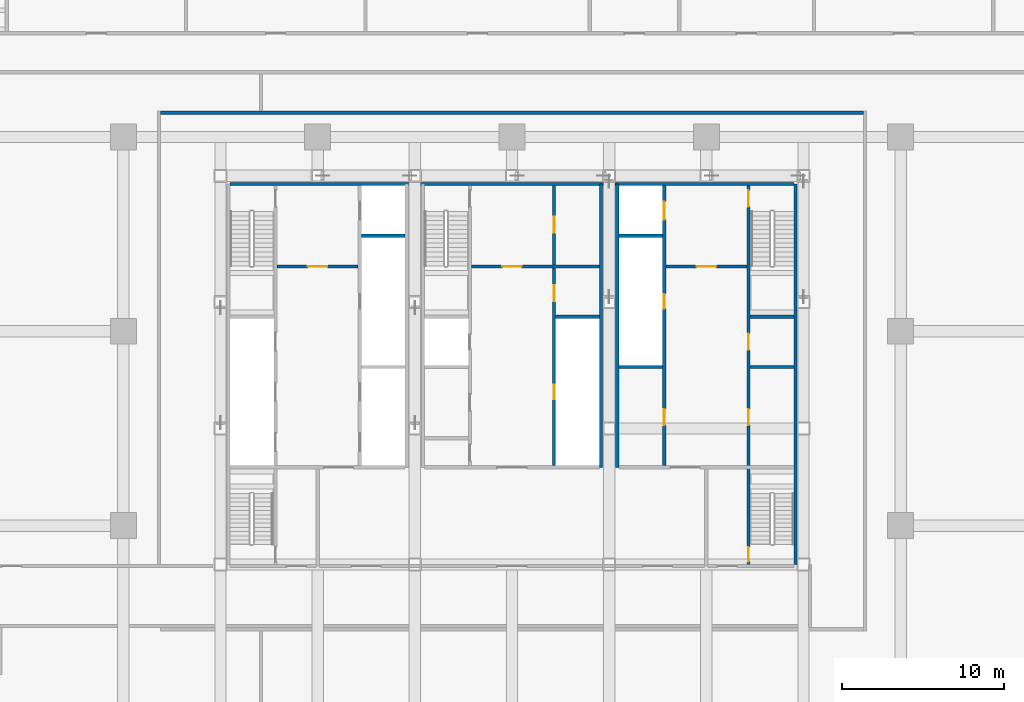
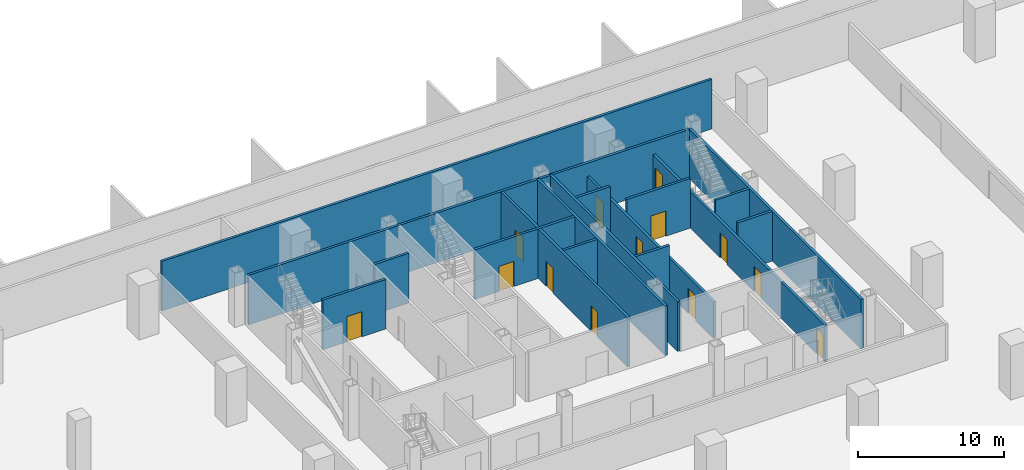
# One storey, part 5 of 15: 17 walls, 13 doors, 13 openings.
"""IFC4 building model written with IfcOpenShell, lengths in metres."""

from ifc_helpers import new_model, si_unit, direction, frame, frame_2d, origin, place, context, subcontext, project, spatial, rectangle, extrude, material, layer, layer_set, type_object, element, fill, save


model = new_model("IFC4")

# Units and contexts
model_context = context("Model", 3, precision=1e-05, world=origin(), true_north=direction((0.0, 1.0)))
body_context = subcontext(model_context, "Body", "Model", "MODEL_VIEW")
ifc_project = project(units=[si_unit("LENGTHUNIT", "METRE"), si_unit("AREAUNIT", "SQUARE_METRE"), si_unit("VOLUMEUNIT", "CUBIC_METRE"), si_unit("PLANEANGLEUNIT", "RADIAN"), si_unit("MASSUNIT", "GRAM", prefix="KILO")], contexts=[model_context])

# Site, building, storey
site_placement = place(None, origin())
site = spatial("IfcSite", under=ifc_project, at=site_placement, CompositionType="ELEMENT")
building_placement = place(site_placement, origin())
building = spatial("IfcBuilding", under=site, at=building_placement, Name="Sorahane Residences", CompositionType="ELEMENT")
storey_placement = place(building_placement, frame((0.0, 0.0, -9.0)))
storey = spatial("IfcBuildingStorey", under=building, at=storey_placement, Name="B2", CompositionType="ELEMENT", Elevation=-9.0)

# Walls
ifc_material_1 = material(Name="Concrete C30", Category="concrete")
ifc_layer_1 = layer(ifc_material_1, 0.199951171875)
ifc_layer_set_1 = layer_set([ifc_layer_1], Name="Core face wall 200 EI 180")
wall_type_1 = type_object("IfcWallType", Name="Core face wall 200 EI 180", PredefinedType="SOLIDWALL", material=ifc_layer_set_1)
wall_1_placement = place(storey_placement, frame((41.5, 21.60009765625, 0.0), z_axis=(0.0, 0.0, 1.0), x_axis=(0.0, 1.0, 0.0)))
element("IfcWall", 1, at=wall_1_placement, inside=storey, type_object=wall_type_1, Name="B2 core face wall", PredefinedType="SOLIDWALL", context=body_context, shape_type="SweptSolid", body=[
    extrude(rectangle(XDim=23.5, YDim=0.199951171875, at=frame_2d((11.75, 0.0))), origin(), (0.0, 0.0, 1.0), 4.139892578125),
])
wall_2_placement = place(storey_placement, frame((6.60009765625, 45.10009765625, 0.0), z_axis=(0.0, 0.0, 1.0), x_axis=(1.0, 0.0, 0.0)))
element("IfcWall", 2, at=wall_2_placement, inside=storey, type_object=wall_type_1, Name="B2 core face wall", PredefinedType="SOLIDWALL", context=body_context, shape_type="SweptSolid", body=[
    extrude(rectangle(XDim=34.7998046875, YDim=0.199951171875, at=frame_2d((17.39990234375, 0.0))), origin(), (0.0, 0.0, 1.0), 4.139892578125),
])
for number, where, z_axis, x_axis, name in (
    (3, (29.5, 27.60009765625, 0.0), (0.0, 0.0, 1.0), (0.0, 1.0, 0.0), "B2 core face wall"),
    (4, (30.5, 27.60009765625, 0.0), (0.0, 0.0, 1.0), (0.0, 1.0, 0.0), "B2 core face wall"),
):
    element("IfcWall", number, at=place(storey_placement, frame(where, z_axis=z_axis, x_axis=x_axis)), inside=storey, type_object=wall_type_1, Name=name, PredefinedType="SOLIDWALL", context=body_context, shape_type="SweptSolid", body=[
        extrude(rectangle(XDim=17.5, YDim=0.199951171875, at=frame_2d((8.75, 0.0))), origin(), (0.0, 0.0, 1.0), 4.139892578125),
    ])
ifc_material_2 = material(Name="Concrete blockwork C20 wall", Category="masonry")
ifc_layer_2 = layer(ifc_material_2, 0.199951171875)
ifc_layer_set_2 = layer_set([ifc_layer_2], Name="Fire wall 200 EI 120")
wall_type_2 = type_object("IfcWallType", Name="Fire wall 200 EI 120", PredefinedType="SOLIDWALL", material=ifc_layer_set_2)
wall_3_placement = place(storey_placement, frame((2.300048828125, 49.5, 0.0), z_axis=(0.0, 0.0, 1.0), x_axis=(1.0, 0.0, 0.0)))
element("IfcWall", 5, at=wall_3_placement, inside=storey, type_object=wall_type_2, Name="B2 fire wall", PredefinedType="SOLIDWALL", context=body_context, shape_type="SweptSolid", body=[
    extrude(rectangle(XDim=43.39990234375, YDim=0.199951171875, at=frame_2d((21.699951171875, 0.0))), origin(), (0.0, 0.0, 1.0), 4.139892578125),
])

# Wall, opening, door
ifc_material_3 = material(Name="Concrete C30", Category="concrete")
ifc_layer_3 = layer(ifc_material_3, 0.199951171875)
ifc_layer_set_3 = layer_set([ifc_layer_3], Name="Front room wall 200 EI 120")
wall_type_3 = type_object("IfcWallType", Name="Front room wall 200 EI 120", PredefinedType="PARTITIONING", material=ifc_layer_set_3)
wall_4_placement = place(storey_placement, frame((21.5, 40.0, 0.0), z_axis=(0.0, 0.0, 1.0), x_axis=(1.0, 0.0, 0.0)))
wall_4 = element("IfcWall", 6, at=wall_4_placement, inside=storey, type_object=wall_type_3, Name="B2 front room wall", PredefinedType="PARTITIONING", context=body_context, shape_type="SweptSolid", body=[
    extrude(rectangle(XDim=7.89990234375, YDim=0.199951171875, at=frame_2d((3.949951171875, 0.0))), origin(), (0.0, 0.0, 1.0), 4.139892578125),
])
opening_1_placement = place(wall_4_placement, frame((1.89990234375, 0.0, 0.0)))
opening_1 = element("IfcOpeningElement", 7, at=opening_1_placement, cuts=wall_4, Name="Opening B2-C09", PredefinedType="OPENING", context=body_context, shape_type="SweptSolid", body=[
    extrude(rectangle(XDim=1.199951171875, YDim=2.10009765625, at=frame_2d((0.60009765625, 1.050048828125))), frame((0.0, 0.10986328125, 0.0), z_axis=(0.0, -1.0, 0.0), x_axis=(1.0, 0.0, 0.0)), (0.0, 0.0, 1.0), 0.219970703125),
])
ifc_material_4 = material(Name="Steel", Category="steel")
door_type_1 = type_object("IfcDoorType", Name="Front room door 1200x2100 FD120", OperationType="NOTDEFINED", PredefinedType="DOOR", material=ifc_material_4)
door_1_placement = place(opening_1_placement, frame((1.199951171875, 0.0, 0.0), z_axis=(0.0, 0.0, 1.0), x_axis=(-1.0, 0.0, 0.0)))
door_1 = element("IfcDoor", 8, at=door_1_placement, inside=storey, type_object=door_type_1, Name="Front room door Stair S3 vestibule B2", OperationType="DOUBLE_DOOR_SINGLE_SWING", OverallHeight=2.10009765625, OverallWidth=1.199951171875, PredefinedType="DOOR", context=body_context, shape_type="SweptSolid", body=[
    extrude(rectangle(XDim=1.199951171875, YDim=2.10009765625, at=frame_2d((0.60009765625, 1.050048828125))), frame((0.0, 0.02490234375, 0.0), z_axis=(0.0, -1.0, 0.0), x_axis=(1.0, 0.0, 0.0)), (0.0, 0.0, 1.0), 0.050048828125),
])
fill(opening_1, door_1)

wall_5_placement = place(storey_placement, frame((33.5, 40.0, 0.0), z_axis=(0.0, 0.0, 1.0), x_axis=(1.0, 0.0, 0.0)))
wall_5 = element("IfcWall", 9, at=wall_5_placement, inside=storey, type_object=wall_type_3, Name="B2 front room wall", PredefinedType="PARTITIONING", context=body_context, shape_type="SweptSolid", body=[
    extrude(rectangle(XDim=5.0, YDim=0.199951171875, at=frame_2d((2.5, 0.0))), origin(), (0.0, 0.0, 1.0), 4.139892578125),
])
opening_2_placement = place(wall_5_placement, frame((1.89990234375, 0.0, 0.0)))
opening_2 = element("IfcOpeningElement", 10, at=opening_2_placement, cuts=wall_5, Name="Opening B2-C11", PredefinedType="OPENING", context=body_context, shape_type="SweptSolid", body=[
    extrude(rectangle(XDim=1.199951171875, YDim=2.10009765625, at=frame_2d((0.60009765625, 1.050048828125))), frame((0.0, 0.10986328125, 0.0), z_axis=(0.0, -1.0, 0.0), x_axis=(1.0, 0.0, 0.0)), (0.0, 0.0, 1.0), 0.219970703125),
])
door_2_placement = place(opening_2_placement, frame((1.199951171875, 0.0, 0.0), z_axis=(0.0, 0.0, 1.0), x_axis=(-1.0, 0.0, 0.0)))
door_2 = element("IfcDoor", 11, at=door_2_placement, inside=storey, type_object=door_type_1, Name="Front room door Firefighting lobby FF2 front room B2", OperationType="DOUBLE_DOOR_SINGLE_SWING", OverallHeight=2.10009765625, OverallWidth=1.199951171875, PredefinedType="DOOR", context=body_context, shape_type="SweptSolid", body=[
    extrude(rectangle(XDim=1.199951171875, YDim=2.10009765625, at=frame_2d((0.60009765625, 1.050048828125))), frame((0.0, 0.02490234375, 0.0), z_axis=(0.0, -1.0, 0.0), x_axis=(1.0, 0.0, 0.0)), (0.0, 0.0, 1.0), 0.050048828125),
])
fill(opening_2, door_2)

wall_6_placement = place(storey_placement, frame((9.5, 40.0, 0.0), z_axis=(0.0, 0.0, 1.0), x_axis=(1.0, 0.0, 0.0)))
wall_6 = element("IfcWall", 12, at=wall_6_placement, inside=storey, type_object=wall_type_3, Name="B2 front room wall", PredefinedType="PARTITIONING", context=body_context, shape_type="SweptSolid", body=[
    extrude(rectangle(XDim=5.0, YDim=0.199951171875, at=frame_2d((2.5, 0.0))), origin(), (0.0, 0.0, 1.0), 4.139892578125),
])
opening_3_placement = place(wall_6_placement, frame((1.89990234375, 0.0, 0.0)))
opening_3 = element("IfcOpeningElement", 13, at=opening_3_placement, cuts=wall_6, Name="Opening B2-C07", PredefinedType="OPENING", context=body_context, shape_type="SweptSolid", body=[
    extrude(rectangle(XDim=1.199951171875, YDim=2.10009765625, at=frame_2d((0.60009765625, 1.050048828125))), frame((0.0, 0.10986328125, 0.0), z_axis=(0.0, -1.0, 0.0), x_axis=(1.0, 0.0, 0.0)), (0.0, 0.0, 1.0), 0.219970703125),
])
door_3_placement = place(opening_3_placement, frame((1.199951171875, 0.0, 0.0), z_axis=(0.0, 0.0, 1.0), x_axis=(-1.0, 0.0, 0.0)))
door_3 = element("IfcDoor", 14, at=door_3_placement, inside=storey, type_object=door_type_1, Name="Front room door Firefighting lobby FF1 front room B2", OperationType="DOUBLE_DOOR_SINGLE_SWING", OverallHeight=2.10009765625, OverallWidth=1.199951171875, PredefinedType="DOOR", context=body_context, shape_type="SweptSolid", body=[
    extrude(rectangle(XDim=1.199951171875, YDim=2.10009765625, at=frame_2d((0.60009765625, 1.050048828125))), frame((0.0, 0.02490234375, 0.0), z_axis=(0.0, -1.0, 0.0), x_axis=(1.0, 0.0, 0.0)), (0.0, 0.0, 1.0), 0.050048828125),
])
fill(opening_3, door_3)

# Wall, openings, doors
ifc_material_5 = material(Name="Concrete C30", Category="concrete")
ifc_layer_4 = layer(ifc_material_5, 0.199951171875)
ifc_layer_set_4 = layer_set([ifc_layer_4], Name="Lift shaft wall 200 EI 120")
wall_type_4 = type_object("IfcWallType", Name="Lift shaft wall 200 EI 120", PredefinedType="SOLIDWALL", material=ifc_layer_set_4)
wall_7_placement = place(storey_placement, frame((33.39990234375, 27.699951171875, 0.0), z_axis=(0.0, 0.0, 1.0), x_axis=(0.0, 1.0, 0.0)))
wall_7 = element("IfcWall", 15, at=wall_7_placement, inside=storey, type_object=wall_type_4, Name="B2 lift shaft wall", PredefinedType="SOLIDWALL", context=body_context, shape_type="SweptSolid", body=[
    extrude(rectangle(XDim=17.300048828125, YDim=0.199951171875, at=frame_2d((8.64990234375, 0.0))), origin(), (0.0, 0.0, 1.0), 3.0400390625),
])
opening_4_placement = place(wall_7_placement, frame((15.199951171875, 0.0, 0.0)))
opening_4 = element("IfcOpeningElement", 16, at=opening_4_placement, cuts=wall_7, Name="Opening B2-C12", PredefinedType="OPENING", context=body_context, shape_type="SweptSolid", body=[
    extrude(rectangle(XDim=1.10009765625, YDim=2.10009765625, at=frame_2d((0.550048828125, 1.050048828125))), frame((0.0, 0.10986328125, 0.0), z_axis=(0.0, -1.0, 0.0), x_axis=(1.0, 0.0, 0.0)), (0.0, 0.0, 1.0), 0.219970703125),
])
opening_5_placement = place(wall_7_placement, frame((2.5, 0.0, 0.0)))
opening_5 = element("IfcOpeningElement", 17, at=opening_5_placement, cuts=wall_7, Name="Opening B2-C23", PredefinedType="OPENING", context=body_context, shape_type="SweptSolid", body=[
    extrude(rectangle(XDim=1.0, YDim=2.10009765625, at=frame_2d((0.5, 1.050048828125))), frame((0.0, 0.10986328125, 0.0), z_axis=(0.0, -1.0, 0.0), x_axis=(1.0, 0.0, 0.0)), (0.0, 0.0, 1.0), 0.219970703125),
])
opening_6_placement = place(wall_7_placement, frame((9.699951171875, 0.0, 0.0)))
opening_6 = element("IfcOpeningElement", 18, at=opening_6_placement, cuts=wall_7, Name="Opening B2-C30", PredefinedType="OPENING", context=body_context, shape_type="SweptSolid", body=[
    extrude(rectangle(XDim=0.89990234375, YDim=2.10009765625, at=frame_2d((0.449951171875, 1.050048828125))), frame((0.0, 0.10986328125, 0.0), z_axis=(0.0, -1.0, 0.0), x_axis=(1.0, 0.0, 0.0)), (0.0, 0.0, 1.0), 0.219970703125),
])
ifc_material_6 = material(Name="Aluminium and stainless steel", Category="steel")
door_type_2 = type_object("IfcDoorType", Name="Lift landing door 1100x2100 E 60", OperationType="NOTDEFINED", PredefinedType="DOOR", material=ifc_material_6)
door_4_placement = place(opening_4_placement, origin())
door_4 = element("IfcDoor", 19, at=door_4_placement, inside=storey, type_object=door_type_2, Name="Lift landing door FF2 B2", OperationType="DOUBLE_DOOR_SLIDING", OverallHeight=2.10009765625, OverallWidth=1.10009765625, PredefinedType="DOOR", context=body_context, shape_type="SweptSolid", body=[
    extrude(rectangle(XDim=1.10009765625, YDim=2.10009765625, at=frame_2d((0.550048828125, 1.050048828125))), frame((0.0, 0.02490234375, 0.0), z_axis=(0.0, -1.0, 0.0), x_axis=(1.0, 0.0, 0.0)), (0.0, 0.0, 1.0), 0.050048828125),
])
fill(opening_4, door_4)
ifc_material_7 = material(Name="Steel", Category="steel")
door_type_3 = type_object("IfcDoorType", Name="Riser door 900x2100 FD120", OperationType="NOTDEFINED", PredefinedType="DOOR", material=ifc_material_7)
door_5_placement = place(opening_6_placement, frame((0.89990234375, 0.0, 0.0), z_axis=(0.0, 0.0, 1.0), x_axis=(-1.0, 0.0, 0.0)))
door_5 = element("IfcDoor", 20, at=door_5_placement, inside=storey, type_object=door_type_3, Name="Riser door R2 B2", OperationType="SINGLE_SWING_LEFT", OverallHeight=2.10009765625, OverallWidth=0.89990234375, PredefinedType="DOOR", context=body_context, shape_type="SweptSolid", body=[
    extrude(rectangle(XDim=0.89990234375, YDim=2.10009765625, at=frame_2d((0.449951171875, 1.050048828125))), frame((0.0, 0.02490234375, 0.0), z_axis=(0.0, -1.0, 0.0), x_axis=(1.0, 0.0, 0.0)), (0.0, 0.0, 1.0), 0.050048828125),
])
fill(opening_6, door_5)
ifc_material_8 = material(Name="Steel", Category="steel")
door_type_4 = type_object("IfcDoorType", Name="Service room door 1000x2100 FD60", OperationType="NOTDEFINED", PredefinedType="DOOR", material=ifc_material_8)
door_6_placement = place(opening_5_placement, origin())
door_6 = element("IfcDoor", 21, at=door_6_placement, inside=storey, type_object=door_type_4, Name="Service room door Library B2", OperationType="SINGLE_SWING_RIGHT", OverallHeight=2.10009765625, OverallWidth=1.0, PredefinedType="DOOR", context=body_context, shape_type="SweptSolid", body=[
    extrude(rectangle(XDim=1.0, YDim=2.10009765625, at=frame_2d((0.5, 1.050048828125))), frame((0.0, 0.02490234375, 0.0), z_axis=(0.0, -1.0, 0.0), x_axis=(1.0, 0.0, 0.0)), (0.0, 0.0, 1.0), 0.050048828125),
])
fill(opening_5, door_6)

# Walls
for number, where, z_axis, x_axis, name in (
    (22, (14.699951171875, 41.89990234375, 0.0), (0.0, 0.0, 1.0), (1.0, 0.0, 0.0), "B2 lift shaft wall"),
    (23, (30.60009765625, 41.89990234375, 0.0), (0.0, 0.0, 1.0), (1.0, 0.0, 0.0), "B2 lift shaft wall"),
):
    element("IfcWall", number, at=place(storey_placement, frame(where, z_axis=z_axis, x_axis=x_axis)), inside=storey, type_object=wall_type_4, Name=name, PredefinedType="SOLIDWALL", context=body_context, shape_type="SweptSolid", body=[
        extrude(rectangle(XDim=2.699951171875, YDim=0.199951171875, at=frame_2d((1.35009765625, 0.0))), origin(), (0.0, 0.0, 1.0), 4.139892578125),
    ])

# Wall, openings, doors
ifc_material_9 = material(Name="Concrete C30", Category="concrete")
ifc_layer_5 = layer(ifc_material_9, 0.199951171875)
ifc_layer_set_5 = layer_set([ifc_layer_5], Name="Riser shaft wall 200 EI 120")
wall_type_5 = type_object("IfcWallType", Name="Riser shaft wall 200 EI 120", PredefinedType="SOLIDWALL", material=ifc_layer_set_5)
wall_8_placement = place(storey_placement, frame((26.60009765625, 27.699951171875, 0.0), z_axis=(0.0, 0.0, 1.0), x_axis=(0.0, 1.0, 0.0)))
wall_8 = element("IfcWall", 24, at=wall_8_placement, inside=storey, type_object=wall_type_5, Name="B2 riser wall", PredefinedType="SOLIDWALL", context=body_context, shape_type="SweptSolid", body=[
    extrude(rectangle(XDim=17.300048828125, YDim=0.199951171875, at=frame_2d((8.64990234375, 0.0))), origin(), (0.0, 0.0, 1.0), 4.139892578125),
])
opening_7_placement = place(wall_8_placement, frame((4.10009765625, 0.0, 0.0)))
opening_7 = element("IfcOpeningElement", 25, at=opening_7_placement, cuts=wall_8, Name="Opening B2-C32", PredefinedType="OPENING", context=body_context, shape_type="SweptSolid", body=[
    extrude(rectangle(XDim=0.89990234375, YDim=2.10009765625, at=frame_2d((0.449951171875, 1.050048828125))), frame((0.0, 0.10986328125, 0.0), z_axis=(0.0, -1.0, 0.0), x_axis=(1.0, 0.0, 0.0)), (0.0, 0.0, 1.0), 0.219970703125),
])
opening_8_placement = place(wall_8_placement, frame((10.14990234375, 0.0, 0.0)))
opening_8 = element("IfcOpeningElement", 26, at=opening_8_placement, cuts=wall_8, Name="Opening B2-C33", PredefinedType="OPENING", context=body_context, shape_type="SweptSolid", body=[
    extrude(rectangle(XDim=1.0, YDim=2.10009765625, at=frame_2d((0.5, 1.050048828125))), frame((0.0, 0.10986328125, 0.0), z_axis=(0.0, -1.0, 0.0), x_axis=(1.0, 0.0, 0.0)), (0.0, 0.0, 1.0), 0.219970703125),
])
opening_9_placement = place(wall_8_placement, frame((14.375, 0.0, 0.0)))
opening_9 = element("IfcOpeningElement", 27, at=opening_9_placement, cuts=wall_8, Name="Opening B2-C34", PredefinedType="OPENING", context=body_context, shape_type="SweptSolid", body=[
    extrude(rectangle(XDim=1.0, YDim=2.10009765625, at=frame_2d((0.5, 1.050048828125))), frame((0.0, 0.10986328125, 0.0), z_axis=(0.0, -1.0, 0.0), x_axis=(1.0, 0.0, 0.0)), (0.0, 0.0, 1.0), 0.219970703125),
])
door_7_placement = place(opening_7_placement, origin())
door_7 = element("IfcDoor", 28, at=door_7_placement, inside=storey, type_object=door_type_3, Name="Riser door R4 B2", OperationType="SINGLE_SWING_LEFT", OverallHeight=2.10009765625, OverallWidth=0.89990234375, PredefinedType="DOOR", context=body_context, shape_type="SweptSolid", body=[
    extrude(rectangle(XDim=0.89990234375, YDim=2.10009765625, at=frame_2d((0.449951171875, 1.050048828125))), frame((0.0, 0.02490234375, 0.0), z_axis=(0.0, -1.0, 0.0), x_axis=(1.0, 0.0, 0.0)), (0.0, 0.0, 1.0), 0.050048828125),
])
fill(opening_7, door_7)
door_8_placement = place(opening_8_placement, frame((1.0, 0.0, 0.0), z_axis=(0.0, 0.0, 1.0), x_axis=(-1.0, 0.0, 0.0)))
door_8 = element("IfcDoor", 29, at=door_8_placement, inside=storey, type_object=door_type_4, Name="Service room door Linen room B2", OperationType="SINGLE_SWING_LEFT", OverallHeight=2.10009765625, OverallWidth=1.0, PredefinedType="DOOR", context=body_context, shape_type="SweptSolid", body=[
    extrude(rectangle(XDim=1.0, YDim=2.10009765625, at=frame_2d((0.5, 1.050048828125))), frame((0.0, 0.02490234375, 0.0), z_axis=(0.0, -1.0, 0.0), x_axis=(1.0, 0.0, 0.0)), (0.0, 0.0, 1.0), 0.050048828125),
])
fill(opening_8, door_8)
door_9_placement = place(opening_9_placement, frame((1.0, 0.0, 0.0), z_axis=(0.0, 0.0, 1.0), x_axis=(-1.0, 0.0, 0.0)))
door_9 = element("IfcDoor", 30, at=door_9_placement, inside=storey, type_object=door_type_4, Name="Service room door Cleaners' store B2", OperationType="SINGLE_SWING_LEFT", OverallHeight=2.10009765625, OverallWidth=1.0, PredefinedType="DOOR", context=body_context, shape_type="SweptSolid", body=[
    extrude(rectangle(XDim=1.0, YDim=2.10009765625, at=frame_2d((0.5, 1.050048828125))), frame((0.0, 0.02490234375, 0.0), z_axis=(0.0, -1.0, 0.0), x_axis=(1.0, 0.0, 0.0)), (0.0, 0.0, 1.0), 0.050048828125),
])
fill(opening_9, door_9)

# Walls
for number, where, z_axis, x_axis, name in (
    (31, (30.60009765625, 33.800048828125, 0.0), (0.0, 0.0, 1.0), (1.0, 0.0, 0.0), "B2 riser wall"),
    (32, (26.699951171875, 36.89990234375, 0.0), (0.0, 0.0, 1.0), (1.0, 0.0, 0.0), "B2 riser wall"),
):
    element("IfcWall", number, at=place(storey_placement, frame(where, z_axis=z_axis, x_axis=x_axis)), inside=storey, type_object=wall_type_5, Name=name, PredefinedType="SOLIDWALL", context=body_context, shape_type="SweptSolid", body=[
        extrude(rectangle(XDim=2.699951171875, YDim=0.199951171875, at=frame_2d((1.35009765625, 0.0))), origin(), (0.0, 0.0, 1.0), 4.139892578125),
    ])
ifc_material_10 = material(Name="Concrete C30", Category="concrete")
ifc_layer_6 = layer(ifc_material_10, 0.199951171875)
ifc_layer_set_6 = layer_set([ifc_layer_6], Name="Service room partition 200 EI 60")
wall_type_6 = type_object("IfcWallType", Name="Service room partition 200 EI 60", PredefinedType="PARTITIONING", material=ifc_layer_set_6)
wall_9_placement = place(storey_placement, frame((38.699951171875, 33.800048828125, 0.0), z_axis=(0.0, 0.0, 1.0), x_axis=(1.0, 0.0, 0.0)))
element("IfcWall", 33, at=wall_9_placement, inside=storey, type_object=wall_type_6, Name="B2 service room wall", PredefinedType="PARTITIONING", context=body_context, shape_type="SweptSolid", body=[
    extrude(rectangle(XDim=2.699951171875, YDim=0.199951171875, at=frame_2d((1.35009765625, 0.0))), origin(), (0.0, 0.0, 1.0), 4.139892578125),
])

# Wall, openings, doors
ifc_material_11 = material(Name="Concrete C30", Category="concrete")
ifc_layer_7 = layer(ifc_material_11, 0.199951171875)
ifc_layer_set_7 = layer_set([ifc_layer_7], Name="Stair enclosure wall 200 EI 120")
wall_type_7 = type_object("IfcWallType", Name="Stair enclosure wall 200 EI 120", PredefinedType="SOLIDWALL", material=ifc_layer_set_7)
wall_10_placement = place(storey_placement, frame((38.60009765625, 21.5, 0.0), z_axis=(0.0, 0.0, 1.0), x_axis=(0.0, 1.0, 0.0)))
wall_10 = element("IfcWall", 34, at=wall_10_placement, inside=storey, type_object=wall_type_7, Name="B2 stair enclosure wall", PredefinedType="SOLIDWALL", context=body_context, shape_type="SweptSolid", body=[
    extrude(rectangle(XDim=23.5, YDim=0.199951171875, at=frame_2d((11.75, 0.0))), origin(), (0.0, 0.0, 1.0), 3.0400390625),
])
opening_10_placement = place(wall_10_placement, frame((8.699951171875, 0.0, 0.0)))
opening_10 = element("IfcOpeningElement", 35, at=opening_10_placement, cuts=wall_10, Name="Opening B2-C21", PredefinedType="OPENING", context=body_context, shape_type="SweptSolid", body=[
    extrude(rectangle(XDim=1.0, YDim=2.10009765625, at=frame_2d((0.5, 1.050048828125))), frame((0.0, 0.10986328125, 0.0), z_axis=(0.0, -1.0, 0.0), x_axis=(1.0, 0.0, 0.0)), (0.0, 0.0, 1.0), 0.219970703125),
])
opening_11_placement = place(wall_10_placement, frame((13.35009765625, 0.0, 0.0)))
opening_11 = element("IfcOpeningElement", 36, at=opening_11_placement, cuts=wall_10, Name="Opening B2-C22", PredefinedType="OPENING", context=body_context, shape_type="SweptSolid", body=[
    extrude(rectangle(XDim=1.0, YDim=2.10009765625, at=frame_2d((0.5, 1.050048828125))), frame((0.0, 0.10986328125, 0.0), z_axis=(0.0, -1.0, 0.0), x_axis=(1.0, 0.0, 0.0)), (0.0, 0.0, 1.0), 0.219970703125),
])
opening_12_placement = place(wall_10_placement, frame((22.199951171875, 0.0, 0.0)))
opening_12 = element("IfcOpeningElement", 37, at=opening_12_placement, cuts=wall_10, Name="Opening B2-C25", PredefinedType="OPENING", context=body_context, shape_type="SweptSolid", body=[
    extrude(rectangle(XDim=1.0, YDim=2.10009765625, at=frame_2d((0.5, 1.050048828125))), frame((0.0, 0.10986328125, 0.0), z_axis=(0.0, -1.0, 0.0), x_axis=(1.0, 0.0, 0.0)), (0.0, 0.0, 1.0), 0.219970703125),
])
opening_13_placement = place(wall_10_placement, frame((0.27490234375, 0.0, 0.0)))
opening_13 = element("IfcOpeningElement", 38, at=opening_13_placement, cuts=wall_10, Name="Opening B2-C28", PredefinedType="OPENING", context=body_context, shape_type="SweptSolid", body=[
    extrude(rectangle(XDim=0.89990234375, YDim=2.10009765625, at=frame_2d((0.449951171875, 1.050048828125))), frame((0.0, 0.10986328125, 0.0), z_axis=(0.0, -1.0, 0.0), x_axis=(1.0, 0.0, 0.0)), (0.0, 0.0, 1.0), 0.219970703125),
])
door_10_placement = place(opening_10_placement, frame((1.0, 0.0, 0.0), z_axis=(0.0, 0.0, 1.0), x_axis=(-1.0, 0.0, 0.0)))
door_10 = element("IfcDoor", 39, at=door_10_placement, inside=storey, type_object=door_type_4, Name="Service room door Library B2", OperationType="SINGLE_SWING_RIGHT", OverallHeight=2.10009765625, OverallWidth=1.0, PredefinedType="DOOR", context=body_context, shape_type="SweptSolid", body=[
    extrude(rectangle(XDim=1.0, YDim=2.10009765625, at=frame_2d((0.5, 1.050048828125))), frame((0.0, 0.02490234375, 0.0), z_axis=(0.0, -1.0, 0.0), x_axis=(1.0, 0.0, 0.0)), (0.0, 0.0, 1.0), 0.050048828125),
])
fill(opening_10, door_10)
door_11_placement = place(opening_11_placement, frame((1.0, 0.0, 0.0), z_axis=(0.0, 0.0, 1.0), x_axis=(-1.0, 0.0, 0.0)))
door_11 = element("IfcDoor", 40, at=door_11_placement, inside=storey, type_object=door_type_4, Name="Service room door Library B2", OperationType="SINGLE_SWING_LEFT", OverallHeight=2.10009765625, OverallWidth=1.0, PredefinedType="DOOR", context=body_context, shape_type="SweptSolid", body=[
    extrude(rectangle(XDim=1.0, YDim=2.10009765625, at=frame_2d((0.5, 1.050048828125))), frame((0.0, 0.02490234375, 0.0), z_axis=(0.0, -1.0, 0.0), x_axis=(1.0, 0.0, 0.0)), (0.0, 0.0, 1.0), 0.050048828125),
])
fill(opening_11, door_11)
ifc_material_12 = material(Name="Steel", Category="steel")
door_type_5 = type_object("IfcDoorType", Name="Stair door 1000x2100 FD120", OperationType="NOTDEFINED", PredefinedType="DOOR", material=ifc_material_12)
door_12_placement = place(opening_12_placement, frame((1.0, 0.0, 0.0), z_axis=(0.0, 0.0, 1.0), x_axis=(-1.0, 0.0, 0.0)))
door_12 = element("IfcDoor", 41, at=door_12_placement, inside=storey, type_object=door_type_5, Name="Stair door S2 B2", OperationType="SINGLE_SWING_LEFT", OverallHeight=2.10009765625, OverallWidth=1.0, PredefinedType="DOOR", context=body_context, shape_type="SweptSolid", body=[
    extrude(rectangle(XDim=1.0, YDim=2.10009765625, at=frame_2d((0.5, 1.050048828125))), frame((0.0, 0.02490234375, 0.0), z_axis=(0.0, -1.0, 0.0), x_axis=(1.0, 0.0, 0.0)), (0.0, 0.0, 1.0), 0.050048828125),
])
fill(opening_12, door_12)
ifc_material_13 = material(Name="Steel", Category="steel")
door_type_6 = type_object("IfcDoorType", Name="Stair door 900x2100 FD120", OperationType="NOTDEFINED", PredefinedType="DOOR", material=ifc_material_13)
door_13_placement = place(opening_13_placement, frame((0.89990234375, 0.0, 0.0), z_axis=(0.0, 0.0, 1.0), x_axis=(-1.0, 0.0, 0.0)))
door_13 = element("IfcDoor", 42, at=door_13_placement, inside=storey, type_object=door_type_6, Name="Stair door S5 B2", OperationType="SINGLE_SWING_LEFT", OverallHeight=2.10009765625, OverallWidth=0.89990234375, PredefinedType="DOOR", context=body_context, shape_type="SweptSolid", body=[
    extrude(rectangle(XDim=0.89990234375, YDim=2.10009765625, at=frame_2d((0.449951171875, 1.050048828125))), frame((0.0, 0.02490234375, 0.0), z_axis=(0.0, -1.0, 0.0), x_axis=(1.0, 0.0, 0.0)), (0.0, 0.0, 1.0), 0.050048828125),
])
fill(opening_13, door_13)

# Wall
wall_11_placement = place(storey_placement, frame((38.699951171875, 36.89990234375, 0.0), z_axis=(0.0, 0.0, 1.0), x_axis=(1.0, 0.0, 0.0)))
element("IfcWall", 43, at=wall_11_placement, inside=storey, type_object=wall_type_7, Name="B2 stair enclosure wall", PredefinedType="SOLIDWALL", context=body_context, shape_type="SweptSolid", body=[
    extrude(rectangle(XDim=2.699951171875, YDim=0.199951171875, at=frame_2d((1.35009765625, 0.0))), origin(), (0.0, 0.0, 1.0), 4.139892578125),
])

save(model, "model.ifc")
